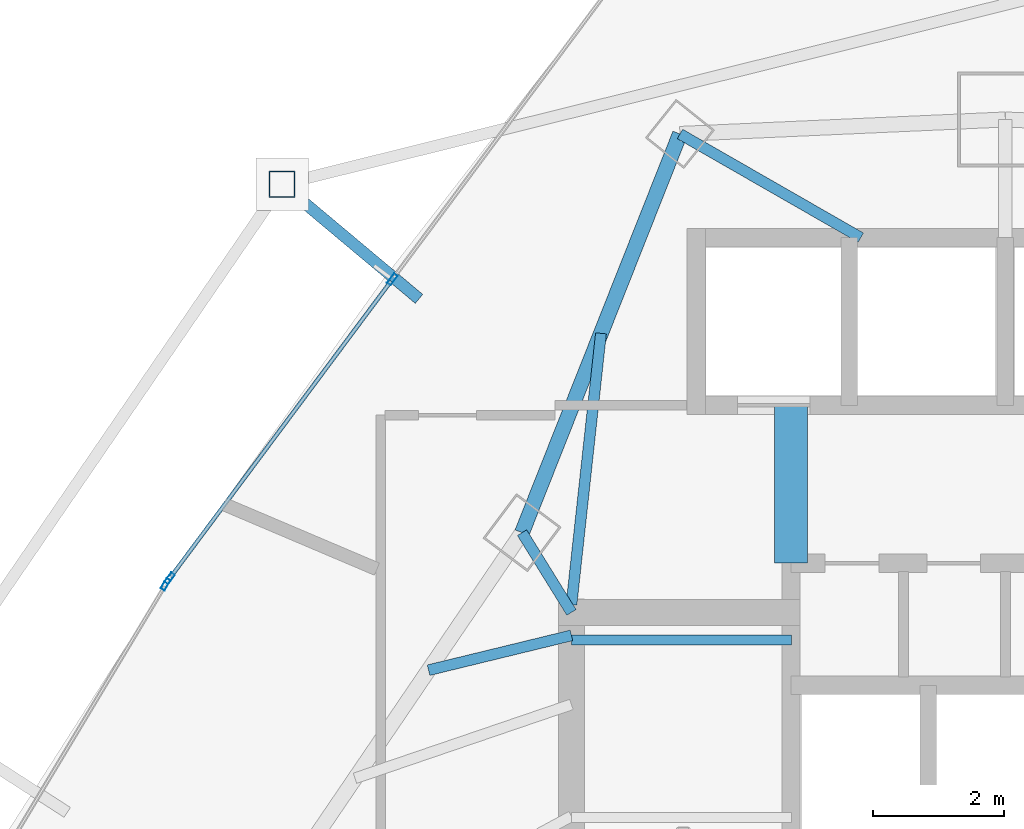
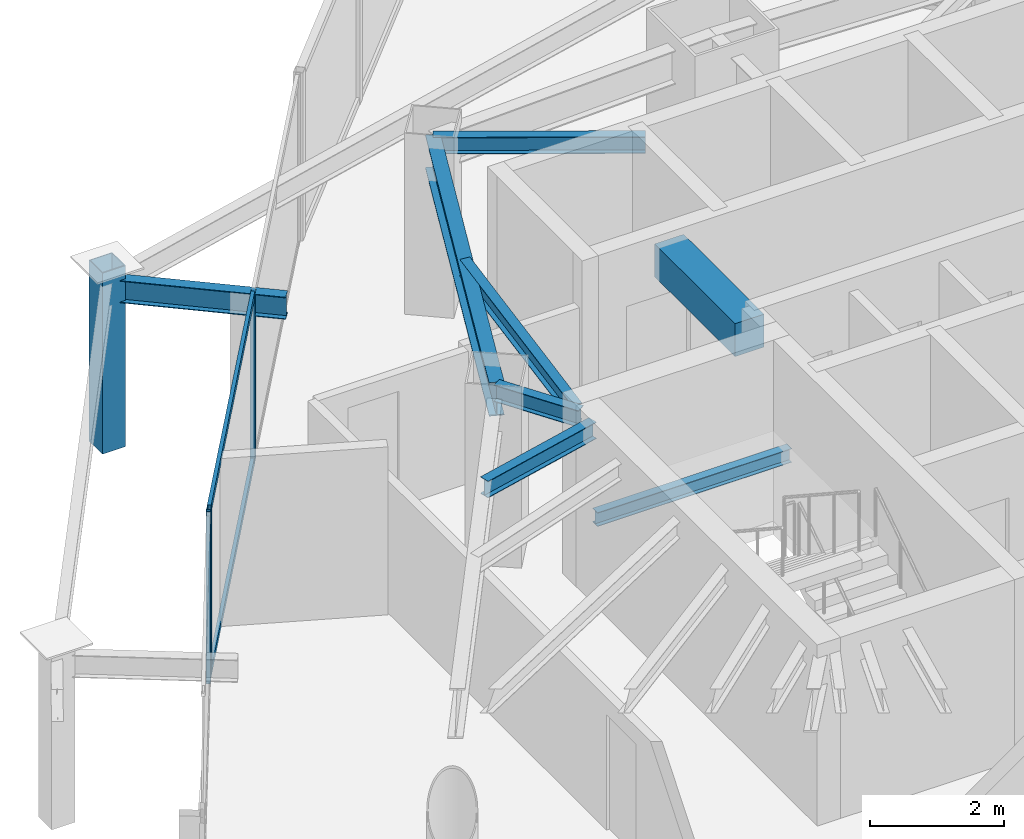
# One storey, part 19 of 31: 8 beams, 6 members, 2 elements without a shape of their own.
"""IFC4 building model written with IfcOpenShell, lengths in metres."""

from ifc_helpers import new_model, si_unit, direction, frame, origin, origin_2d, place, context, subcontext, project, spatial, rectangle, hollow_rectangle, i_section, extrude, material, layer, layer_set, material_profile, profile_set, type_object, element, aggregate, save


model = new_model("IFC4")

# Units and contexts
model_context = context("Model", 3, precision=1e-05, world=origin(), true_north=direction((0.0, 1.0)))
body_context = subcontext(model_context, "Body", "Model", "MODEL_VIEW")
ifc_project = project(units=[si_unit("LENGTHUNIT", "METRE"), si_unit("AREAUNIT", "SQUARE_METRE"), si_unit("VOLUMEUNIT", "CUBIC_METRE"), si_unit("PLANEANGLEUNIT", "RADIAN"), si_unit("MASSUNIT", "GRAM", prefix="KILO")], contexts=[model_context])

# Site, building, storey
site_placement = place(None, origin())
site = spatial("IfcSite", under=ifc_project, at=site_placement, CompositionType="ELEMENT")
building_placement = place(site_placement, origin())
building = spatial("IfcBuilding", under=site, at=building_placement, Name="Orvanel Arch Residences", CompositionType="ELEMENT")
storey_placement = place(building_placement, frame((0.0, 0.0, 133.10009765625)))
storey = spatial("IfcBuildingStorey", under=building, at=storey_placement, Name="L37", CompositionType="ELEMENT", Elevation=133.10009765625)

# Beams
ifc_material_1 = material(Name="Structural steel AS/NZS 3679.1 Grade 300 (300 MPa)", Category="steel")
ifc_material_profile_1 = material_profile(ifc_material_1, i_section(OverallWidth=0.14599609375, OverallDepth=0.251953125, WebThickness=0.006103515625, FlangeThickness=0.008544921875, at=origin_2d()), Name="250UB31.4")
ifc_profile_set_1 = profile_set([ifc_material_profile_1], Name="Structural steel AS/NZS 3679.1 Grade 300 (300 MPa)")
beam_type_1 = type_object("IfcBeamType", Name="BJ-250UB", PredefinedType="JOIST", material=ifc_profile_set_1)
beam_1_placement = place(storey_placement, frame((26.39990234375, 33.47998046875, 1.323974609375), z_axis=(1.0, 0.0, 0.0), x_axis=(0.0, 1.0, 0.0)))
element("IfcBeam", 1, at=beam_1_placement, inside=storey, type_object=beam_type_1, Name="L37 ST-1 Half-Landing Support Beam 1.2", PredefinedType="JOIST", context=body_context, shape_type="SweptSolid", body=[
    extrude(i_section(OverallWidth=0.14599609375, OverallDepth=0.251953125, WebThickness=0.006103515625, FlangeThickness=0.008544921875, at=origin_2d()), origin(), (0.0, 0.0, 1.0), 3.35009765625),
])
ifc_material_profile_2 = material_profile(ifc_material_1, i_section(OverallWidth=0.1650390625, OverallDepth=0.303955078125, WebThickness=0.006103515625, FlangeThickness=0.01025390625, at=origin_2d()), Name="310UB40.4")
ifc_profile_set_2 = profile_set([ifc_material_profile_2], Name="Structural steel AS/NZS 3679.1 Grade 300 (300 MPa)")
beam_type_2 = type_object("IfcBeamType", Name="BJ-310UB", PredefinedType="JOIST", material=ifc_profile_set_2)
beam_2_placement = place(storey_placement, frame((26.39990234375, 33.89990234375, 2.907958984375), z_axis=(-0.526843290616, 0.84996243866, 0.0), x_axis=(-0.84996243866, -0.526843290616, 0.0)))
element("IfcBeam", 2, at=beam_2_placement, inside=storey, type_object=beam_type_2, Name="L37 NNW Wing Floor Joist", PredefinedType="JOIST", context=body_context, shape_type="SweptSolid", body=[
    extrude(i_section(OverallWidth=0.1650390625, OverallDepth=0.303955078125, WebThickness=0.006103515625, FlangeThickness=0.01025390625, at=origin_2d()), origin(), (0.0, 0.0, 1.0), 1.42724609375),
])
beam_3_placement = place(storey_placement, frame((26.39990234375, 34.02001953125, 2.907958984375), z_axis=(0.108261441852, 0.99412245735, 0.0), x_axis=(-0.99412245735, 0.108261441852, 0.0)))
element("IfcBeam", 3, at=beam_3_placement, inside=storey, type_object=beam_type_2, Name="L37 NNW2 Wing Floor Joist", PredefinedType="JOIST", context=body_context, shape_type="SweptSolid", body=[
    extrude(i_section(OverallWidth=0.1650390625, OverallDepth=0.303955078125, WebThickness=0.006103515625, FlangeThickness=0.01025390625, at=origin_2d()), origin(), (0.0, 0.0, 1.0), 4.1494140625),
])
beam_4_placement = place(storey_placement, frame((30.800048828125, 39.60009765625, 2.907958984375), z_axis=(-0.86736513383, 0.497672306458, 0.0), x_axis=(-0.497672306458, -0.86736513383, 0.0)))
element("IfcBeam", 4, at=beam_4_placement, inside=storey, type_object=beam_type_2, Name="L37 MNW Wing Floor Joist", PredefinedType="JOIST", context=body_context, shape_type="SweptSolid", body=[
    extrude(i_section(OverallWidth=0.1650390625, OverallDepth=0.303955078125, WebThickness=0.006103515625, FlangeThickness=0.01025390625, at=origin_2d()), origin(), (0.0, 0.0, 1.0), 3.17041015625),
])
beam_5_placement = place(storey_placement, frame((26.39990234375, 33.550048828125, 2.907958984375), z_axis=(-0.971638471014, -0.236471312521, 0.0), x_axis=(0.236471312521, -0.971638471014, 0.0)))
element("IfcBeam", 5, at=beam_5_placement, inside=storey, type_object=beam_type_2, Name="L37 JADD3 Wing Floor Joist", PredefinedType="JOIST", context=body_context, shape_type="SweptSolid", body=[
    extrude(i_section(OverallWidth=0.1650390625, OverallDepth=0.303955078125, WebThickness=0.006103515625, FlangeThickness=0.01025390625, at=origin_2d()), origin(), (0.0, 0.0, 1.0), 2.2373046875),
])
ifc_material_2 = material(Name="Concrete S65 (65 MPa)", Category="concrete")
ifc_material_profile_3 = material_profile(ifc_material_2, rectangle(XDim=0.5, YDim=0.60009765625, at=origin_2d()), Name="RC500x600")
ifc_profile_set_3 = profile_set([ifc_material_profile_3], Name="Concrete S65 (65 MPa)")
beam_type_3 = type_object("IfcBeamType", Name="CB-500x600", PredefinedType="LINTEL", material=ifc_profile_set_3)
beam_6_placement = place(storey_placement, frame((29.739990234375, 34.64990234375, 2.760009765625), z_axis=(0.0, 1.0, 0.0), x_axis=(-1.0, 0.0, 0.0)))
element("IfcBeam", 6, at=beam_6_placement, inside=storey, type_object=beam_type_3, Name="L37 West Core Lobby Coupling Lintel Beam", PredefinedType="LINTEL", context=body_context, shape_type="SweptSolid", body=[
    extrude(rectangle(XDim=0.5, YDim=0.60009765625, at=origin_2d()), origin(), (0.0, 0.0, 1.0), 2.400146484375),
])

# Curtain wall, members
ifc_material_3 = material(Name="Bronze-anodised aluminium AA6063-T6", Category="aluminium")
ifc_layer = layer(ifc_material_3, 0.179931640625)
ifc_layer_set = layer_set([ifc_layer], Name="Bronze-anodised aluminium AA6063-T6")
curtain_wall_type = type_object("IfcCurtainWallType", Name="CW3-MID-SYS", PredefinedType="NOTDEFINED", material=ifc_layer_set)
curtain_wall_1_placement = place(storey_placement, origin())
curtain_wall_1 = element("IfcCurtainWall", 7, at=curtain_wall_1_placement, inside=storey, type_object=curtain_wall_type, Name="L37 CW3-MID-SYS Unitised Curtain Wall", PredefinedType="NOTDEFINED")
ifc_material_profile_4 = material_profile(ifc_material_3, hollow_rectangle(XDim=0.070068359375, YDim=0.179931640625, WallThickness=0.00439453125, at=origin_2d()), Name="ALU180x70x4.5")
ifc_profile_set_4 = profile_set([ifc_material_profile_4], Name="Bronze-anodised aluminium AA6063-T6")
member_type_1 = type_object("IfcMemberType", Name="MUL-180x70", PredefinedType="MULLION", material=ifc_profile_set_4)
member_1_placement = place(storey_placement, frame((23.675537109375, 38.966064453125, 0.0), z_axis=(0.0, 0.0, 1.0), x_axis=(0.801951131724, -0.597389640291, 0.0)))
member_1 = element("IfcMember", 8, at=member_1_placement, type_object=member_type_1, Name="CW-S3 mullion 2", PredefinedType="MULLION", context=body_context, shape_type="SweptSolid", body=[
    extrude(hollow_rectangle(XDim=0.070068359375, YDim=0.179931640625, WallThickness=0.00439453125, at=origin_2d()), origin(), (0.0, 0.0, 1.0), 3.059814453125),
])
member_2_placement = place(storey_placement, frame((20.286865234375, 34.4169921875, 0.0), z_axis=(0.0, 0.0, 1.0), x_axis=(0.801951131724, -0.597389640291, 0.0)))
member_2 = element("IfcMember", 9, at=member_2_placement, type_object=member_type_1, Name="CW-S3 mullion 3", PredefinedType="MULLION", context=body_context, shape_type="SweptSolid", body=[
    extrude(hollow_rectangle(XDim=0.070068359375, YDim=0.179931640625, WallThickness=0.00439453125, at=origin_2d()), origin(), (0.0, 0.0, 1.0), 3.059814453125),
])

# Curtain wall, member
curtain_wall_2_placement = place(storey_placement, origin())
curtain_wall_2 = element("IfcCurtainWall", 10, at=curtain_wall_2_placement, inside=storey, type_object=curtain_wall_type, Name="L37 CW3-MID-SYS Unitised Curtain Wall", PredefinedType="NOTDEFINED")
member_3_placement = place(storey_placement, frame((20.22607421875, 34.325927734375, 0.0), z_axis=(0.0, 0.0, 1.0), x_axis=(0.857531765451, -0.514431016991, 0.0)))
member_3 = element("IfcMember", 11, at=member_3_placement, type_object=member_type_1, Name="CW-S3 mullion 1", PredefinedType="MULLION", context=body_context, shape_type="SweptSolid", body=[
    extrude(hollow_rectangle(XDim=0.070068359375, YDim=0.179931640625, WallThickness=0.00439453125, at=origin_2d()), origin(), (0.0, 0.0, 1.0), 3.059814453125),
])
aggregate(curtain_wall_2, [member_3])

# Beams
ifc_material_profile_5 = material_profile(ifc_material_1, i_section(OverallWidth=0.177978515625, OverallDepth=0.406005859375, WebThickness=0.0078125, FlangeThickness=0.0126953125, at=origin_2d()), Name="410UB59.7")
ifc_profile_set_5 = profile_set([ifc_material_profile_5], Name="Structural steel AS/NZS 3679.1 Grade 300 (300 MPa)")
beam_type_4 = type_object("IfcBeamType", Name="OB-410UB-EXT", PredefinedType="SPANDREL", material=ifc_profile_set_5)
beam_7_placement = place(storey_placement, frame((24.0810546875, 38.6689453125, 2.85693359375), z_axis=(-0.766539606195, 0.642197035289, 0.0), x_axis=(-0.642197035289, -0.766539606195, 0.0)))
element("IfcBeam", 12, at=beam_7_placement, inside=storey, type_object=beam_type_4, Name="L37 Outer Frame Radial Tie Beam 01", PredefinedType="SPANDREL", context=body_context, shape_type="SweptSolid", body=[
    extrude(i_section(OverallWidth=0.177978515625, OverallDepth=0.406005859375, WebThickness=0.0078125, FlangeThickness=0.0126953125, at=origin_2d()), origin(), (0.0, 0.0, 1.0), 2.717529296875),
])
ifc_material_profile_6 = material_profile(ifc_material_1, i_section(OverallWidth=0.22900390625, OverallDepth=0.612060546875, WebThickness=0.011962890625, FlangeThickness=0.01953125, at=origin_2d()), Name="610UB125")
ifc_profile_set_6 = profile_set([ifc_material_profile_6], Name="Structural steel AS/NZS 3679.1 Grade 300 (300 MPa)")
beam_type_5 = type_object("IfcBeamType", Name="SP-610UB", PredefinedType="SPANDREL", material=ifc_profile_set_6)
beam_8_placement = place(storey_placement, frame((28.050048828125, 41.177978515625, 2.75390625), z_axis=(-0.368233143579, -0.929733484376, 0.0), x_axis=(0.929733484376, -0.368233143579, 0.0)))
element("IfcBeam", 13, at=beam_8_placement, inside=storey, type_object=beam_type_5, Name="L37 Perimeter Spandrel Beam 16", PredefinedType="SPANDREL", context=body_context, shape_type="SweptSolid", body=[
    extrude(i_section(OverallWidth=0.22900390625, OverallDepth=0.612060546875, WebThickness=0.011962890625, FlangeThickness=0.01953125, at=origin_2d()), origin(), (0.0, 0.0, 1.0), 6.523193359375),
])

# Member
ifc_material_4 = material(Name="Structural steel AS/NZS 1163 C450L0 (Grade 450)", Category="steel")
ifc_material_profile_7 = material_profile(ifc_material_4, hollow_rectangle(XDim=0.39990234375, YDim=0.39990234375, WallThickness=0.01611328125, at=origin_2d()), Name="SHS400x400x16")
ifc_profile_set_7 = profile_set([ifc_material_profile_7], Name="Structural steel AS/NZS 1163 C450L0 (Grade 450)")
member_type_2 = type_object("IfcMemberType", Name="ST-400SHS-EXT", PredefinedType="STRUT", material=ifc_profile_set_7)
member_4_placement = place(storey_placement, frame((21.998046875, 40.4140625, 0.0), z_axis=(0.0, 0.0, 1.0), x_axis=(1.0, 0.0, 0.0)))
element("IfcMember", 14, at=member_4_placement, inside=storey, type_object=member_type_2, Name="L37 Outer Perimeter Frame Post 01", PredefinedType="STRUT", context=body_context, shape_type="SweptSolid", body=[
    extrude(hollow_rectangle(XDim=0.39990234375, YDim=0.39990234375, WallThickness=0.01611328125, at=origin_2d()), origin(), (0.0, 0.0, 1.0), 3.2998046875),
])

ifc_material_profile_8 = material_profile(ifc_material_3, hollow_rectangle(XDim=0.06005859375, YDim=0.135009765625, WallThickness=0.00390625, at=origin_2d()), Name="ALU135x60x4")
ifc_profile_set_8 = profile_set([ifc_material_profile_8], Name="Bronze-anodised aluminium AA6063-T6")
member_type_3 = type_object("IfcMemberType", Name="TRN-135x60", PredefinedType="USERDEFINED", material=ifc_profile_set_8)
member_5_placement = place(storey_placement, frame((23.654541015625, 38.93798828125, 0.02978515625), z_axis=(-0.597368132118, -0.801967153149, 0.0), x_axis=(0.801967153149, -0.597368132118, 0.0)))
member_5 = element("IfcMember", 15, at=member_5_placement, type_object=member_type_3, Name="CW-S3 transom 2.1", ObjectType="TRANSOM", PredefinedType="USERDEFINED", context=body_context, shape_type="SweptSolid", body=[
    extrude(hollow_rectangle(XDim=0.06005859375, YDim=0.135009765625, WallThickness=0.00390625, at=origin_2d()), origin(), (0.0, 0.0, 1.0), 5.602294921875),
])

member_6_placement = place(storey_placement, frame((23.654541015625, 38.93798828125, 3.02978515625), z_axis=(-0.597368132118, -0.801967153149, 0.0), x_axis=(0.801967153149, -0.597368132118, 0.0)))
member_6 = element("IfcMember", 16, at=member_6_placement, type_object=member_type_3, Name="CW-S3 transom 2.2", ObjectType="TRANSOM", PredefinedType="USERDEFINED", context=body_context, shape_type="SweptSolid", body=[
    extrude(hollow_rectangle(XDim=0.06005859375, YDim=0.135009765625, WallThickness=0.00390625, at=origin_2d()), origin(), (0.0, 0.0, 1.0), 5.602294921875),
])

aggregate(curtain_wall_1, [member_1, member_2, member_5, member_6])

save(model, "model.ifc")
